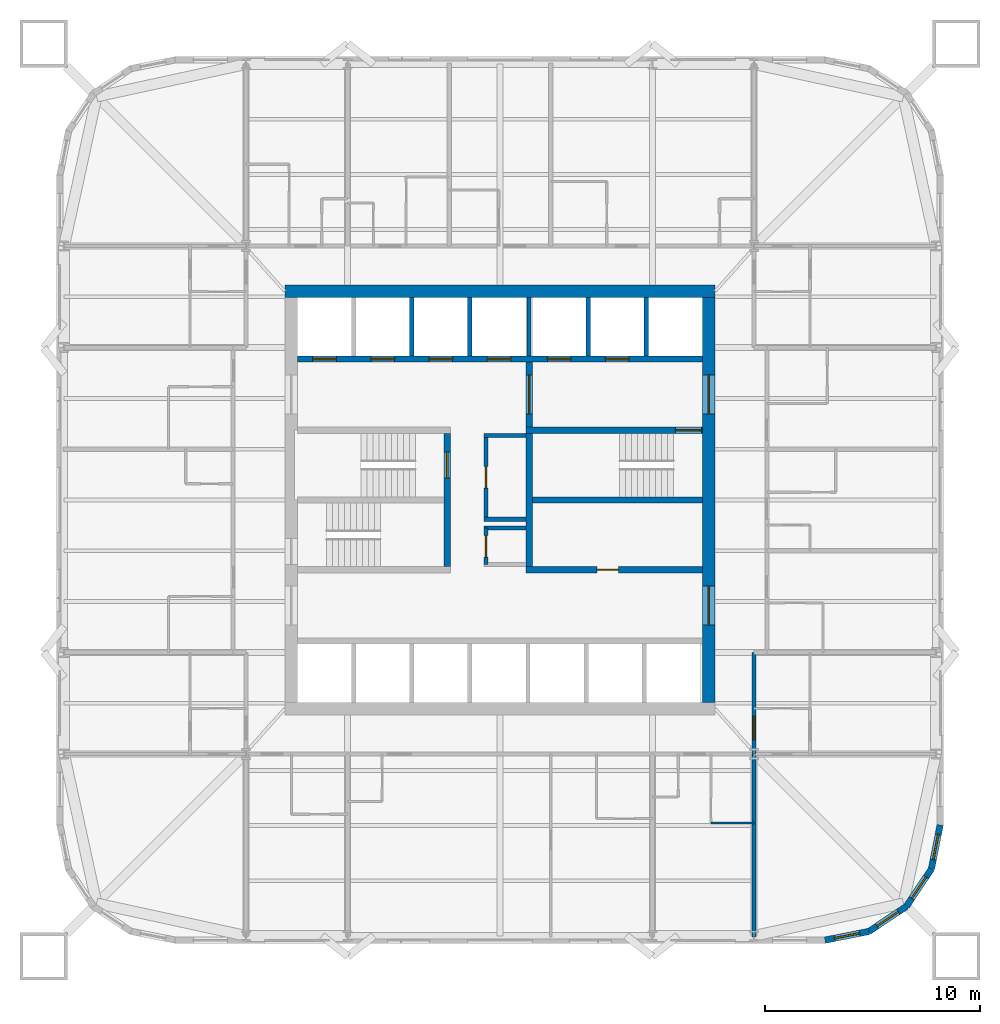
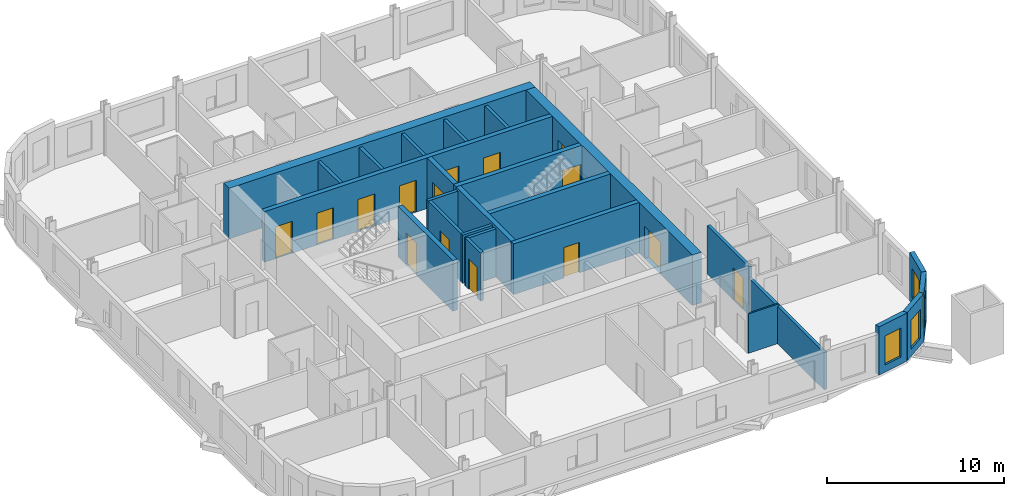
# One storey, part 5 of 9: 25 walls, 15 doors, 4 windows, 19 openings.
"""IFC4 building model written with IfcOpenShell, lengths in metres."""

from ifc_helpers import new_model, si_unit, direction, frame, frame_2d, origin, place, context, subcontext, project, spatial, rectangle, extrude, material, layer, layer_set, type_object, element, fill, save


model = new_model("IFC4")

# Units and contexts
model_context = context("Model", 3, precision=1e-05, world=origin(), true_north=direction((0.0, 1.0)))
body_context = subcontext(model_context, "Body", "Model", "MODEL_VIEW")
ifc_project = project(units=[si_unit("LENGTHUNIT", "METRE"), si_unit("AREAUNIT", "SQUARE_METRE"), si_unit("VOLUMEUNIT", "CUBIC_METRE"), si_unit("PLANEANGLEUNIT", "RADIAN"), si_unit("MASSUNIT", "GRAM", prefix="KILO")], contexts=[model_context])

# Site, building, storey
site_placement = place(None, origin())
site = spatial("IfcSite", under=ifc_project, at=site_placement, CompositionType="ELEMENT")
building_placement = place(site_placement, origin())
building = spatial("IfcBuilding", under=site, at=building_placement, Name="Turquesa Mirador Hotel Tower", CompositionType="ELEMENT")
storey_placement = place(building_placement, frame((0.0, 0.0, 114.39990234375)))
storey = spatial("IfcBuildingStorey", under=building, at=storey_placement, Name="L30", CompositionType="ELEMENT", Elevation=114.39990234375)

# Wall
ifc_material_1 = material(Name="Gypsum board on steel studs", Category="steel")
ifc_layer_1 = layer(ifc_material_1, 0.10009765625)
ifc_layer_set_1 = layer_set([ifc_layer_1], Name="BATHROOM WALL 100")
wall_type_1 = type_object("IfcWallType", Name="BATHROOM WALL 100", PredefinedType="PARTITIONING", material=ifc_layer_set_1)
wall_1_placement = place(storey_placement, frame((64.800048828125, 30.0, 0.0), z_axis=(0.0, 0.0, 1.0), x_axis=(1.0, 0.0, 0.0)))
element("IfcWall", 1, at=wall_1_placement, inside=storey, type_object=wall_type_1, Name="Partition L30 009", PredefinedType="PARTITIONING", context=body_context, shape_type="SweptSolid", body=[
    extrude(rectangle(XDim=2.0, YDim=0.10009765625, at=frame_2d((1.0, 0.0))), origin(), (0.0, 0.0, 1.0), 2.730712890625),
])

# Wall, openings, doors
ifc_material_2 = material(Name="Concrete C50/60", Category="concrete")
ifc_layer_2 = layer(ifc_material_2, 0.300048828125)
ifc_layer_set_2 = layer_set([ifc_layer_2], Name="CORE INNER WALL 300")
wall_type_2 = type_object("IfcWallType", Name="CORE INNER WALL 300", PredefinedType="SHEAR", material=ifc_layer_set_2)
wall_2_placement = place(storey_placement, frame((45.60009765625, 51.550048828125, 0.0), z_axis=(0.0, 0.0, 1.0), x_axis=(1.0, 0.0, 0.0)))
wall_2 = element("IfcWall", 2, at=wall_2_placement, inside=storey, type_object=wall_type_2, Name="Core wall NL", PredefinedType="SHEAR", context=body_context, shape_type="SweptSolid", body=[
    extrude(rectangle(XDim=18.7998046875, YDim=0.300048828125, at=frame_2d((9.39990234375, 0.0))), origin(), (0.0, 0.0, 1.0), 3.5),
])
opening_1_placement = place(wall_2_placement, frame((0.699951171875, 0.0, 0.0)))
opening_1 = element("IfcOpeningElement", 3, at=opening_1_placement, cuts=wall_2, Name="Opening LD", PredefinedType="OPENING", context=body_context, shape_type="SweptSolid", body=[
    extrude(rectangle(XDim=1.10009765625, YDim=2.199951171875, at=frame_2d((0.550048828125, 1.10009765625))), frame((0.0, 0.159912109375, 0.0), z_axis=(0.0, -1.0, 0.0), x_axis=(1.0, 0.0, 0.0)), (0.0, 0.0, 1.0), 0.320068359375),
])
opening_2_placement = place(wall_2_placement, frame((3.39990234375, 0.0, 0.0)))
opening_2 = element("IfcOpeningElement", 4, at=opening_2_placement, cuts=wall_2, Name="Opening LD", PredefinedType="OPENING", context=body_context, shape_type="SweptSolid", body=[
    extrude(rectangle(XDim=1.10009765625, YDim=2.199951171875, at=frame_2d((0.550048828125, 1.10009765625))), frame((0.0, 0.159912109375, 0.0), z_axis=(0.0, -1.0, 0.0), x_axis=(1.0, 0.0, 0.0)), (0.0, 0.0, 1.0), 0.320068359375),
])
opening_3_placement = place(wall_2_placement, frame((6.10009765625, 0.0, 0.0)))
opening_3 = element("IfcOpeningElement", 5, at=opening_3_placement, cuts=wall_2, Name="Opening LD", PredefinedType="OPENING", context=body_context, shape_type="SweptSolid", body=[
    extrude(rectangle(XDim=1.10009765625, YDim=2.199951171875, at=frame_2d((0.550048828125, 1.10009765625))), frame((0.0, 0.159912109375, 0.0), z_axis=(0.0, -1.0, 0.0), x_axis=(1.0, 0.0, 0.0)), (0.0, 0.0, 1.0), 0.320068359375),
])
opening_4_placement = place(wall_2_placement, frame((8.800048828125, 0.0, 0.0)))
opening_4 = element("IfcOpeningElement", 6, at=opening_4_placement, cuts=wall_2, Name="Opening LD", PredefinedType="OPENING", context=body_context, shape_type="SweptSolid", body=[
    extrude(rectangle(XDim=1.10009765625, YDim=2.199951171875, at=frame_2d((0.550048828125, 1.10009765625))), frame((0.0, 0.159912109375, 0.0), z_axis=(0.0, -1.0, 0.0), x_axis=(1.0, 0.0, 0.0)), (0.0, 0.0, 1.0), 0.320068359375),
])
opening_5_placement = place(wall_2_placement, frame((11.60009765625, 0.0, 0.0)))
opening_5 = element("IfcOpeningElement", 7, at=opening_5_placement, cuts=wall_2, Name="Opening LD", PredefinedType="OPENING", context=body_context, shape_type="SweptSolid", body=[
    extrude(rectangle(XDim=1.10009765625, YDim=2.199951171875, at=frame_2d((0.550048828125, 1.10009765625))), frame((0.0, 0.159912109375, 0.0), z_axis=(0.0, -1.0, 0.0), x_axis=(1.0, 0.0, 0.0)), (0.0, 0.0, 1.0), 0.320068359375),
])
opening_6_placement = place(wall_2_placement, frame((14.300048828125, 0.0, 0.0)))
opening_6 = element("IfcOpeningElement", 8, at=opening_6_placement, cuts=wall_2, Name="Opening LD", PredefinedType="OPENING", context=body_context, shape_type="SweptSolid", body=[
    extrude(rectangle(XDim=1.10009765625, YDim=2.199951171875, at=frame_2d((0.550048828125, 1.10009765625))), frame((0.0, 0.159912109375, 0.0), z_axis=(0.0, -1.0, 0.0), x_axis=(1.0, 0.0, 0.0)), (0.0, 0.0, 1.0), 0.320068359375),
])
ifc_material_3 = material(Name="Stainless steel lift landing door", Category="steel")
door_type_1 = type_object("IfcDoorType", Name="LIFT LANDING DOOR 1100X2200", OperationType="SLIDING_TO_LEFT", PredefinedType="DOOR", material=ifc_material_3)
door_1_placement = place(opening_1_placement, origin())
door_1 = element("IfcDoor", 9, at=door_1_placement, inside=storey, type_object=door_type_1, Name="Lift A1 landing door", OperationType="SLIDING_TO_LEFT", OverallHeight=2.199951171875, OverallWidth=1.10009765625, PredefinedType="DOOR", context=body_context, shape_type="SweptSolid", body=[
    extrude(rectangle(XDim=1.10009765625, YDim=2.199951171875, at=frame_2d((0.550048828125, 1.10009765625))), frame((0.0, 0.02490234375, 0.0), z_axis=(0.0, -1.0, 0.0), x_axis=(1.0, 0.0, 0.0)), (0.0, 0.0, 1.0), 0.050048828125),
])
fill(opening_1, door_1)
door_2_placement = place(opening_2_placement, origin())
door_2 = element("IfcDoor", 10, at=door_2_placement, inside=storey, type_object=door_type_1, Name="Lift A2 landing door", OperationType="SLIDING_TO_LEFT", OverallHeight=2.199951171875, OverallWidth=1.10009765625, PredefinedType="DOOR", context=body_context, shape_type="SweptSolid", body=[
    extrude(rectangle(XDim=1.10009765625, YDim=2.199951171875, at=frame_2d((0.550048828125, 1.10009765625))), frame((0.0, 0.02490234375, 0.0), z_axis=(0.0, -1.0, 0.0), x_axis=(1.0, 0.0, 0.0)), (0.0, 0.0, 1.0), 0.050048828125),
])
fill(opening_2, door_2)
door_3_placement = place(opening_3_placement, origin())
door_3 = element("IfcDoor", 11, at=door_3_placement, inside=storey, type_object=door_type_1, Name="Lift A3 landing door", OperationType="SLIDING_TO_LEFT", OverallHeight=2.199951171875, OverallWidth=1.10009765625, PredefinedType="DOOR", context=body_context, shape_type="SweptSolid", body=[
    extrude(rectangle(XDim=1.10009765625, YDim=2.199951171875, at=frame_2d((0.550048828125, 1.10009765625))), frame((0.0, 0.02490234375, 0.0), z_axis=(0.0, -1.0, 0.0), x_axis=(1.0, 0.0, 0.0)), (0.0, 0.0, 1.0), 0.050048828125),
])
fill(opening_3, door_3)
door_4_placement = place(opening_4_placement, origin())
door_4 = element("IfcDoor", 12, at=door_4_placement, inside=storey, type_object=door_type_1, Name="Lift A4 landing door", OperationType="SLIDING_TO_LEFT", OverallHeight=2.199951171875, OverallWidth=1.10009765625, PredefinedType="DOOR", context=body_context, shape_type="SweptSolid", body=[
    extrude(rectangle(XDim=1.10009765625, YDim=2.199951171875, at=frame_2d((0.550048828125, 1.10009765625))), frame((0.0, 0.02490234375, 0.0), z_axis=(0.0, -1.0, 0.0), x_axis=(1.0, 0.0, 0.0)), (0.0, 0.0, 1.0), 0.050048828125),
])
fill(opening_4, door_4)
door_5_placement = place(opening_5_placement, origin())
door_5 = element("IfcDoor", 13, at=door_5_placement, inside=storey, type_object=door_type_1, Name="Lift S1 landing door", OperationType="SLIDING_TO_LEFT", OverallHeight=2.199951171875, OverallWidth=1.10009765625, PredefinedType="DOOR", context=body_context, shape_type="SweptSolid", body=[
    extrude(rectangle(XDim=1.10009765625, YDim=2.199951171875, at=frame_2d((0.550048828125, 1.10009765625))), frame((0.0, 0.02490234375, 0.0), z_axis=(0.0, -1.0, 0.0), x_axis=(1.0, 0.0, 0.0)), (0.0, 0.0, 1.0), 0.050048828125),
])
fill(opening_5, door_5)
door_6_placement = place(opening_6_placement, origin())
door_6 = element("IfcDoor", 14, at=door_6_placement, inside=storey, type_object=door_type_1, Name="Lift S2 landing door", OperationType="SLIDING_TO_LEFT", OverallHeight=2.199951171875, OverallWidth=1.10009765625, PredefinedType="DOOR", context=body_context, shape_type="SweptSolid", body=[
    extrude(rectangle(XDim=1.10009765625, YDim=2.199951171875, at=frame_2d((0.550048828125, 1.10009765625))), frame((0.0, 0.02490234375, 0.0), z_axis=(0.0, -1.0, 0.0), x_axis=(1.0, 0.0, 0.0)), (0.0, 0.0, 1.0), 0.050048828125),
])
fill(opening_6, door_6)

# Wall, opening, door
wall_3_placement = place(storey_placement, frame((56.199951171875, 48.25, 0.0), z_axis=(0.0, 0.0, 1.0), x_axis=(1.0, 0.0, 0.0)))
wall_3 = element("IfcWall", 15, at=wall_3_placement, inside=storey, type_object=wall_type_2, Name="Core wall MN-E", PredefinedType="SHEAR", context=body_context, shape_type="SweptSolid", body=[
    extrude(rectangle(XDim=8.199951171875, YDim=0.300048828125, at=frame_2d((4.10009765625, 0.0))), origin(), (0.0, 0.0, 1.0), 3.5),
])
opening_7_placement = place(wall_3_placement, frame((6.949951171875, 0.0, 0.0)))
opening_7 = element("IfcOpeningElement", 16, at=opening_7_placement, cuts=wall_3, Name="Opening D03", PredefinedType="OPENING", context=body_context, shape_type="SweptSolid", body=[
    extrude(rectangle(XDim=1.199951171875, YDim=2.199951171875, at=frame_2d((0.60009765625, 1.10009765625))), frame((0.0, 0.159912109375, 0.0), z_axis=(0.0, -1.0, 0.0), x_axis=(1.0, 0.0, 0.0)), (0.0, 0.0, 1.0), 0.320068359375),
])
ifc_material_4 = material(Name="Steel fire door", Category="steel")
door_type_2 = type_object("IfcDoorType", Name="DOOR 1200X2200 STAIR", OperationType="SINGLE_SWING_LEFT", PredefinedType="DOOR", material=ifc_material_4)
door_7_placement = place(opening_7_placement, origin())
door_7 = element("IfcDoor", 17, at=door_7_placement, inside=storey, type_object=door_type_2, Name="Stair ST3 door", OperationType="SINGLE_SWING_LEFT", OverallHeight=2.199951171875, OverallWidth=1.199951171875, PredefinedType="DOOR", context=body_context, shape_type="SweptSolid", body=[
    extrude(rectangle(XDim=1.199951171875, YDim=2.199951171875, at=frame_2d((0.60009765625, 1.10009765625))), frame((0.0, 0.02490234375, 0.0), z_axis=(0.0, -1.0, 0.0), x_axis=(1.0, 0.0, 0.0)), (0.0, 0.0, 1.0), 0.050048828125),
])
fill(opening_7, door_7)

wall_4_placement = place(storey_placement, frame((56.199951171875, 41.75, 0.0), z_axis=(0.0, 0.0, 1.0), x_axis=(1.0, 0.0, 0.0)))
wall_4 = element("IfcWall", 18, at=wall_4_placement, inside=storey, type_object=wall_type_2, Name="Core wall MS-E", PredefinedType="SHEAR", context=body_context, shape_type="SweptSolid", body=[
    extrude(rectangle(XDim=8.199951171875, YDim=0.300048828125, at=frame_2d((4.10009765625, 0.0))), origin(), (0.0, 0.0, 1.0), 3.5),
])
opening_8_placement = place(wall_4_placement, frame((3.300048828125, 0.0, 0.0)))
opening_8 = element("IfcOpeningElement", 19, at=opening_8_placement, cuts=wall_4, Name="Opening D05", PredefinedType="OPENING", context=body_context, shape_type="SweptSolid", body=[
    extrude(rectangle(XDim=1.0, YDim=2.10009765625, at=frame_2d((0.5, 1.050048828125))), frame((0.0, 0.159912109375, 0.0), z_axis=(0.0, -1.0, 0.0), x_axis=(1.0, 0.0, 0.0)), (0.0, 0.0, 1.0), 0.320068359375),
])
ifc_material_5 = material(Name="Steel fire door", Category="steel")
door_type_3 = type_object("IfcDoorType", Name="DOOR 1000X2100 SERVICE", OperationType="SINGLE_SWING_LEFT", PredefinedType="DOOR", material=ifc_material_5)
door_8_placement = place(opening_8_placement, origin())
door_8 = element("IfcDoor", 20, at=door_8_placement, inside=storey, type_object=door_type_3, Name="Housekeeping room door", OperationType="SINGLE_SWING_LEFT", OverallHeight=2.10009765625, OverallWidth=1.0, PredefinedType="DOOR", context=body_context, shape_type="SweptSolid", body=[
    extrude(rectangle(XDim=1.0, YDim=2.10009765625, at=frame_2d((0.5, 1.050048828125))), frame((0.0, 0.02490234375, 0.0), z_axis=(0.0, -1.0, 0.0), x_axis=(1.0, 0.0, 0.0)), (0.0, 0.0, 1.0), 0.050048828125),
])
fill(opening_8, door_8)

wall_5_placement = place(storey_placement, frame((52.550048828125, 41.89990234375, 0.0), z_axis=(0.0, 0.0, 1.0), x_axis=(0.0, 1.0, 0.0)))
wall_5 = element("IfcWall", 21, at=wall_5_placement, inside=storey, type_object=wall_type_2, Name="Core wall PW", PredefinedType="SHEAR", context=body_context, shape_type="SweptSolid", body=[
    extrude(rectangle(XDim=6.2001953125, YDim=0.300048828125, at=frame_2d((3.10009765625, 0.0))), origin(), (0.0, 0.0, 1.0), 3.5),
])
opening_9_placement = place(wall_5_placement, frame((4.125, 0.0, 0.0)))
opening_9 = element("IfcOpeningElement", 22, at=opening_9_placement, cuts=wall_5, Name="Opening D03", PredefinedType="OPENING", context=body_context, shape_type="SweptSolid", body=[
    extrude(rectangle(XDim=1.199951171875, YDim=2.199951171875, at=frame_2d((0.60009765625, 1.10009765625))), frame((0.0, 0.159912109375, 0.0), z_axis=(0.0, -1.0, 0.0), x_axis=(1.0, 0.0, 0.0)), (0.0, 0.0, 1.0), 0.320068359375),
])
door_9_placement = place(opening_9_placement, origin())
door_9 = element("IfcDoor", 23, at=door_9_placement, inside=storey, type_object=door_type_2, Name="Stair ST1 door", OperationType="SINGLE_SWING_LEFT", OverallHeight=2.199951171875, OverallWidth=1.199951171875, PredefinedType="DOOR", context=body_context, shape_type="SweptSolid", body=[
    extrude(rectangle(XDim=1.199951171875, YDim=2.199951171875, at=frame_2d((0.60009765625, 1.10009765625))), frame((0.0, 0.02490234375, 0.0), z_axis=(0.0, -1.0, 0.0), x_axis=(1.0, 0.0, 0.0)), (0.0, 0.0, 1.0), 0.050048828125),
])
fill(opening_9, door_9)

wall_6_placement = place(storey_placement, frame((56.35009765625, 41.89990234375, 0.0), z_axis=(0.0, 0.0, 1.0), x_axis=(0.0, 1.0, 0.0)))
wall_6 = element("IfcWall", 24, at=wall_6_placement, inside=storey, type_object=wall_type_2, Name="Core wall PE", PredefinedType="SHEAR", context=body_context, shape_type="SweptSolid", body=[
    extrude(rectangle(XDim=9.5, YDim=0.300048828125, at=frame_2d((4.75, 0.0))), origin(), (0.0, 0.0, 1.0), 3.5),
])
opening_10_placement = place(wall_6_placement, frame((7.10009765625, 0.0, 0.0)))
opening_10 = element("IfcOpeningElement", 25, at=opening_10_placement, cuts=wall_6, Name="Opening D04", PredefinedType="OPENING", context=body_context, shape_type="SweptSolid", body=[
    extrude(rectangle(XDim=1.800048828125, YDim=2.199951171875, at=frame_2d((0.89990234375, 1.10009765625))), frame((0.0, 0.159912109375, 0.0), z_axis=(0.0, -1.0, 0.0), x_axis=(1.0, 0.0, 0.0)), (0.0, 0.0, 1.0), 0.320068359375),
])
ifc_material_6 = material(Name="Steel fire door pair", Category="steel")
door_type_4 = type_object("IfcDoorType", Name="DOOR 1800X2200 PAIR", OperationType="DOUBLE_DOOR_SINGLE_SWING", PredefinedType="DOOR", material=ifc_material_6)
door_10_placement = place(opening_10_placement, origin())
door_10 = element("IfcDoor", 26, at=door_10_placement, inside=storey, type_object=door_type_4, Name="Firefighting lobby inner door", OperationType="DOUBLE_DOOR_SINGLE_SWING", OverallHeight=2.199951171875, OverallWidth=1.800048828125, PredefinedType="DOOR", context=body_context, shape_type="SweptSolid", body=[
    extrude(rectangle(XDim=1.800048828125, YDim=2.199951171875, at=frame_2d((0.89990234375, 1.10009765625))), frame((0.0, 0.02490234375, 0.0), z_axis=(0.0, -1.0, 0.0), x_axis=(1.0, 0.0, 0.0)), (0.0, 0.0, 1.0), 0.050048828125),
])
fill(opening_10, door_10)

# Walls
wall_7_placement = place(storey_placement, frame((56.5, 45.0, 0.0), z_axis=(0.0, 0.0, 1.0), x_axis=(1.0, 0.0, 0.0)))
element("IfcWall", 27, at=wall_7_placement, inside=storey, type_object=wall_type_2, Name="Core wall M0-E", PredefinedType="SHEAR", context=body_context, shape_type="SweptSolid", body=[
    extrude(rectangle(XDim=7.89990234375, YDim=0.300048828125, at=frame_2d((3.949951171875, 0.0))), origin(), (0.0, 0.0, 1.0), 3.5),
])
ifc_material_7 = material(Name="Concrete C50/60", Category="concrete")
ifc_layer_3 = layer(ifc_material_7, 0.60009765625)
ifc_layer_set_3 = layer_set([ifc_layer_3], Name="CORE WALL 600")
wall_type_3 = type_object("IfcWallType", Name="CORE WALL 600", PredefinedType="SHEAR", material=ifc_layer_set_3)
wall_8_placement = place(storey_placement, frame((45.0, 54.699951171875, 0.0), z_axis=(0.0, 0.0, 1.0), x_axis=(1.0, 0.0, 0.0)))
element("IfcWall", 28, at=wall_8_placement, inside=storey, type_object=wall_type_3, Name="Core wall N", PredefinedType="SHEAR", context=body_context, shape_type="SweptSolid", body=[
    extrude(rectangle(XDim=20.0, YDim=0.60009765625, at=frame_2d((10.0, 0.0))), origin(), (0.0, 0.0, 1.0), 3.5),
])

# Wall, openings, doors
wall_9_placement = place(storey_placement, frame((64.699951171875, 35.60009765625, 0.0), z_axis=(0.0, 0.0, 1.0), x_axis=(0.0, 1.0, 0.0)))
wall_9 = element("IfcWall", 29, at=wall_9_placement, inside=storey, type_object=wall_type_3, Name="Core wall E", PredefinedType="SHEAR", context=body_context, shape_type="SweptSolid", body=[
    extrude(rectangle(XDim=18.7998046875, YDim=0.60009765625, at=frame_2d((9.39990234375, 0.0))), origin(), (0.0, 0.0, 1.0), 3.5),
])
opening_11_placement = place(wall_9_placement, frame((13.39990234375, 0.0, 0.0)))
opening_11 = element("IfcOpeningElement", 30, at=opening_11_placement, cuts=wall_9, Name="Opening D04", PredefinedType="OPENING", context=body_context, shape_type="SweptSolid", body=[
    extrude(rectangle(XDim=1.800048828125, YDim=2.199951171875, at=frame_2d((0.89990234375, 1.10009765625))), frame((0.0, 0.31005859375, 0.0), z_axis=(0.0, -1.0, 0.0), x_axis=(1.0, 0.0, 0.0)), (0.0, 0.0, 1.0), 0.6201171875),
])
opening_12_placement = place(wall_9_placement, frame((3.60009765625, 0.0, 0.0)))
opening_12 = element("IfcOpeningElement", 31, at=opening_12_placement, cuts=wall_9, Name="Opening D04", PredefinedType="OPENING", context=body_context, shape_type="SweptSolid", body=[
    extrude(rectangle(XDim=1.800048828125, YDim=2.199951171875, at=frame_2d((0.89990234375, 1.10009765625))), frame((0.0, 0.31005859375, 0.0), z_axis=(0.0, -1.0, 0.0), x_axis=(1.0, 0.0, 0.0)), (0.0, 0.0, 1.0), 0.6201171875),
])
door_11_placement = place(opening_11_placement, origin())
door_11 = element("IfcDoor", 32, at=door_11_placement, inside=storey, type_object=door_type_4, Name="Firefighting lobby door", OperationType="DOUBLE_DOOR_SINGLE_SWING", OverallHeight=2.199951171875, OverallWidth=1.800048828125, PredefinedType="DOOR", context=body_context, shape_type="SweptSolid", body=[
    extrude(rectangle(XDim=1.800048828125, YDim=2.199951171875, at=frame_2d((0.89990234375, 1.10009765625))), frame((0.0, 0.02490234375, 0.0), z_axis=(0.0, -1.0, 0.0), x_axis=(1.0, 0.0, 0.0)), (0.0, 0.0, 1.0), 0.050048828125),
])
fill(opening_11, door_11)
door_12_placement = place(opening_12_placement, origin())
door_12 = element("IfcDoor", 33, at=door_12_placement, inside=storey, type_object=door_type_4, Name="South lift lobby door", OperationType="DOUBLE_DOOR_SINGLE_SWING", OverallHeight=2.199951171875, OverallWidth=1.800048828125, PredefinedType="DOOR", context=body_context, shape_type="SweptSolid", body=[
    extrude(rectangle(XDim=1.800048828125, YDim=2.199951171875, at=frame_2d((0.89990234375, 1.10009765625))), frame((0.0, 0.02490234375, 0.0), z_axis=(0.0, -1.0, 0.0), x_axis=(1.0, 0.0, 0.0)), (0.0, 0.0, 1.0), 0.050048828125),
])
fill(opening_12, door_12)

# Wall, opening, door
ifc_material_8 = material(Name="Fire-rated gypsum board on steel studs", Category="steel")
ifc_layer_4 = layer(ifc_material_8, 0.199951171875)
ifc_layer_set_4 = layer_set([ifc_layer_4], Name="CORRIDOR WALL 200")
wall_type_4 = type_object("IfcWallType", Name="CORRIDOR WALL 200", PredefinedType="PARTITIONING", material=ifc_layer_set_4)
wall_10_placement = place(storey_placement, frame((66.800048828125, 33.199951171875, 0.0), z_axis=(0.0, 0.0, 1.0), x_axis=(0.0, 1.0, 0.0)))
wall_10 = element("IfcWall", 34, at=wall_10_placement, inside=storey, type_object=wall_type_4, Name="Partition L30 065", PredefinedType="PARTITIONING", context=body_context, shape_type="SweptSolid", body=[
    extrude(rectangle(XDim=4.719970703125, YDim=0.199951171875, at=frame_2d((2.35986328125, 0.0))), origin(), (0.0, 0.0, 1.0), 3.330078125),
])
opening_13_placement = place(wall_10_placement, frame((0.659912109375, 0.0, 0.0)))
opening_13 = element("IfcOpeningElement", 35, at=opening_13_placement, cuts=wall_10, Name="Opening D15", PredefinedType="OPENING", context=body_context, shape_type="SweptSolid", body=[
    extrude(rectangle(XDim=1.10009765625, YDim=2.199951171875, at=frame_2d((0.550048828125, 1.10009765625))), frame((0.0, 0.10986328125, 0.0), z_axis=(0.0, -1.0, 0.0), x_axis=(1.0, 0.0, 0.0)), (0.0, 0.0, 1.0), 0.219970703125),
])
ifc_material_9 = material(Name="Timber veneered fire door", Category="wood")
door_type_5 = type_object("IfcDoorType", Name="DOOR 1100X2200 SUITE ENTRY", OperationType="SINGLE_SWING_LEFT", PredefinedType="DOOR", material=ifc_material_9)
door_13_placement = place(opening_13_placement, origin())
door_13 = element("IfcDoor", 36, at=door_13_placement, inside=storey, type_object=door_type_5, Name="Door 3016H", OperationType="SINGLE_SWING_LEFT", OverallHeight=2.199951171875, OverallWidth=1.10009765625, PredefinedType="DOOR", context=body_context, shape_type="SweptSolid", body=[
    extrude(rectangle(XDim=1.10009765625, YDim=2.199951171875, at=frame_2d((0.550048828125, 1.10009765625))), frame((0.0, 0.02490234375, 0.0), z_axis=(0.0, -1.0, 0.0), x_axis=(1.0, 0.0, 0.0)), (0.0, 0.0, 1.0), 0.050048828125),
])
fill(opening_13, door_13)

# Wall, opening, window
ifc_material_10 = material(Name="Limestone cladding on concrete block", Category="masonry")
ifc_layer_5 = layer(ifc_material_10, 0.300048828125)
ifc_layer_set_5 = layer_set([ifc_layer_5], Name="FACADE WALL 300 STONE SCREEN")
wall_type_5 = type_object("IfcWallType", Name="FACADE WALL 300 STONE SCREEN", PredefinedType="SOLIDWALL", material=ifc_layer_set_5)
wall_11_placement = place(storey_placement, frame((70.10009765625, 24.550048828125, 0.0), z_axis=(0.0, 0.0, 1.0), x_axis=(0.980787050784, 0.195081421501, 0.0)))
wall_11 = element("IfcWall", 37, at=wall_11_placement, inside=storey, type_object=wall_type_5, Name="Facade wall L30 00", PredefinedType="SOLIDWALL", context=body_context, shape_type="SweptSolid", body=[
    extrude(rectangle(XDim=2.08740234375, YDim=0.300048828125, at=frame_2d((1.043701171875, 0.0))), origin(), (0.0, 0.0, 1.0), 3.330078125),
])
opening_14_placement = place(wall_11_placement, frame((0.443603515625, 0.0, 0.5)))
opening_14 = element("IfcOpeningElement", 38, at=opening_14_placement, cuts=wall_11, Name="Opening WN4", PredefinedType="OPENING", context=body_context, shape_type="SweptSolid", body=[
    extrude(rectangle(XDim=1.199951171875, YDim=2.0, at=frame_2d((0.60009765625, 1.0))), frame((0.0, 0.159912109375, 0.0), z_axis=(0.0, -1.0, 0.0), x_axis=(1.0, 0.0, 0.0)), (0.0, 0.0, 1.0), 0.320068359375),
])
ifc_material_11 = material(Name="Ceramic-fritted laminated glass", Category="glass")
window_type = type_object("IfcWindowType", Name="FRITTED CORNER WINDOW 1200X2000", PartitioningType="DOUBLE_PANEL_HORIZONTAL", PredefinedType="WINDOW", material=ifc_material_11)
window_1_placement = place(opening_14_placement, origin())
window_1 = element("IfcWindow", 39, at=window_1_placement, inside=storey, type_object=window_type, Name="Window L30", OverallHeight=2.0, OverallWidth=1.199951171875, PartitioningType="SINGLE_PANEL", PredefinedType="WINDOW", context=body_context, shape_type="SweptSolid", body=[
    extrude(rectangle(XDim=1.199951171875, YDim=2.0, at=frame_2d((0.60009765625, 1.0))), frame((0.0, 0.030029296875, 0.0), z_axis=(0.0, -1.0, 0.0), x_axis=(1.0, 0.0, 0.0)), (0.0, 0.0, 1.0), 0.06005859375),
])
fill(opening_14, window_1)

wall_12_placement = place(storey_placement, frame((72.1474609375, 24.957275390625, 0.0), z_axis=(0.0, 0.0, 1.0), x_axis=(0.831474039234, 0.555563607591, 0.0)))
wall_12 = element("IfcWall", 40, at=wall_12_placement, inside=storey, type_object=wall_type_5, Name="Facade wall L30 01", PredefinedType="SOLIDWALL", context=body_context, shape_type="SweptSolid", body=[
    extrude(rectangle(XDim=2.08740234375, YDim=0.300048828125, at=frame_2d((1.043701171875, 0.0))), origin(), (0.0, 0.0, 1.0), 3.330078125),
])
opening_15_placement = place(wall_12_placement, frame((0.443603515625, 0.0, 0.5)))
opening_15 = element("IfcOpeningElement", 41, at=opening_15_placement, cuts=wall_12, Name="Opening WN4", PredefinedType="OPENING", context=body_context, shape_type="SweptSolid", body=[
    extrude(rectangle(XDim=1.199951171875, YDim=2.0, at=frame_2d((0.60009765625, 1.0))), frame((0.0, 0.159912109375, 0.0), z_axis=(0.0, -1.0, 0.0), x_axis=(1.0, 0.0, 0.0)), (0.0, 0.0, 1.0), 0.320068359375),
])
window_2_placement = place(opening_15_placement, origin())
window_2 = element("IfcWindow", 42, at=window_2_placement, inside=storey, type_object=window_type, Name="Window L30", OverallHeight=2.0, OverallWidth=1.199951171875, PartitioningType="SINGLE_PANEL", PredefinedType="WINDOW", context=body_context, shape_type="SweptSolid", body=[
    extrude(rectangle(XDim=1.199951171875, YDim=2.0, at=frame_2d((0.60009765625, 1.0))), frame((0.0, 0.030029296875, 0.0), z_axis=(0.0, -1.0, 0.0), x_axis=(1.0, 0.0, 0.0)), (0.0, 0.0, 1.0), 0.06005859375),
])
fill(opening_15, window_2)

wall_13_placement = place(storey_placement, frame((73.883056640625, 26.116943359375, 0.0), z_axis=(0.0, 0.0, 1.0), x_axis=(0.555563607591, 0.831474039234, 0.0)))
wall_13 = element("IfcWall", 43, at=wall_13_placement, inside=storey, type_object=wall_type_5, Name="Facade wall L30 02", PredefinedType="SOLIDWALL", context=body_context, shape_type="SweptSolid", body=[
    extrude(rectangle(XDim=2.08740234375, YDim=0.300048828125, at=frame_2d((1.043701171875, 0.0))), origin(), (0.0, 0.0, 1.0), 3.330078125),
])
opening_16_placement = place(wall_13_placement, frame((0.443603515625, 0.0, 0.5)))
opening_16 = element("IfcOpeningElement", 44, at=opening_16_placement, cuts=wall_13, Name="Opening WN4", PredefinedType="OPENING", context=body_context, shape_type="SweptSolid", body=[
    extrude(rectangle(XDim=1.199951171875, YDim=2.0, at=frame_2d((0.60009765625, 1.0))), frame((0.0, 0.159912109375, 0.0), z_axis=(0.0, -1.0, 0.0), x_axis=(1.0, 0.0, 0.0)), (0.0, 0.0, 1.0), 0.320068359375),
])
window_3_placement = place(opening_16_placement, origin())
window_3 = element("IfcWindow", 45, at=window_3_placement, inside=storey, type_object=window_type, Name="Window L30", OverallHeight=2.0, OverallWidth=1.199951171875, PartitioningType="SINGLE_PANEL", PredefinedType="WINDOW", context=body_context, shape_type="SweptSolid", body=[
    extrude(rectangle(XDim=1.199951171875, YDim=2.0, at=frame_2d((0.60009765625, 1.0))), frame((0.0, 0.030029296875, 0.0), z_axis=(0.0, -1.0, 0.0), x_axis=(1.0, 0.0, 0.0)), (0.0, 0.0, 1.0), 0.06005859375),
])
fill(opening_16, window_3)

wall_14_placement = place(storey_placement, frame((75.042724609375, 27.8525390625, 0.0), z_axis=(0.0, 0.0, 1.0), x_axis=(0.195081421501, 0.980787050784, 0.0)))
wall_14 = element("IfcWall", 46, at=wall_14_placement, inside=storey, type_object=wall_type_5, Name="Facade wall L30 03", PredefinedType="SOLIDWALL", context=body_context, shape_type="SweptSolid", body=[
    extrude(rectangle(XDim=2.08740234375, YDim=0.300048828125, at=frame_2d((1.043701171875, 0.0))), origin(), (0.0, 0.0, 1.0), 3.330078125),
])
opening_17_placement = place(wall_14_placement, frame((0.443603515625, 0.0, 0.5)))
opening_17 = element("IfcOpeningElement", 47, at=opening_17_placement, cuts=wall_14, Name="Opening WN4", PredefinedType="OPENING", context=body_context, shape_type="SweptSolid", body=[
    extrude(rectangle(XDim=1.199951171875, YDim=2.0, at=frame_2d((0.60009765625, 1.0))), frame((0.0, 0.159912109375, 0.0), z_axis=(0.0, -1.0, 0.0), x_axis=(1.0, 0.0, 0.0)), (0.0, 0.0, 1.0), 0.320068359375),
])
window_4_placement = place(opening_17_placement, origin())
window_4 = element("IfcWindow", 48, at=window_4_placement, inside=storey, type_object=window_type, Name="Window L30", OverallHeight=2.0, OverallWidth=1.199951171875, PartitioningType="SINGLE_PANEL", PredefinedType="WINDOW", context=body_context, shape_type="SweptSolid", body=[
    extrude(rectangle(XDim=1.199951171875, YDim=2.0, at=frame_2d((0.60009765625, 1.0))), frame((0.0, 0.030029296875, 0.0), z_axis=(0.0, -1.0, 0.0), x_axis=(1.0, 0.0, 0.0)), (0.0, 0.0, 1.0), 0.06005859375),
])
fill(opening_17, window_4)

# Wall, opening, door
ifc_material_12 = material(Name="Fire-rated gypsum board on steel studs", Category="steel")
ifc_layer_6 = layer(ifc_material_12, 0.199951171875)
ifc_layer_set_6 = layer_set([ifc_layer_6], Name="FIRE PARTITION 200")
wall_type_6 = type_object("IfcWallType", Name="FIRE PARTITION 200", PredefinedType="PARTITIONING", material=ifc_layer_set_6)
wall_15_placement = place(storey_placement, frame((54.35009765625, 42.0, 0.0), z_axis=(0.0, 0.0, 1.0), x_axis=(0.0, 1.0, 0.0)))
wall_15 = element("IfcWall", 49, at=wall_15_placement, inside=storey, type_object=wall_type_6, Name="Partition L30 SW W", PredefinedType="PARTITIONING", context=body_context, shape_type="SweptSolid", body=[
    extrude(rectangle(XDim=1.699951171875, YDim=0.199951171875, at=frame_2d((0.85009765625, 0.0))), origin(), (0.0, 0.0, 1.0), 3.330078125),
])
opening_18_placement = place(wall_15_placement, frame((0.35009765625, 0.0, 0.0)))
opening_18 = element("IfcOpeningElement", 50, at=opening_18_placement, cuts=wall_15, Name="Opening D05", PredefinedType="OPENING", context=body_context, shape_type="SweptSolid", body=[
    extrude(rectangle(XDim=1.0, YDim=2.10009765625, at=frame_2d((0.5, 1.050048828125))), frame((0.0, 0.10986328125, 0.0), z_axis=(0.0, -1.0, 0.0), x_axis=(1.0, 0.0, 0.0)), (0.0, 0.0, 1.0), 0.219970703125),
])
door_14_placement = place(opening_18_placement, origin())
door_14 = element("IfcDoor", 51, at=door_14_placement, inside=storey, type_object=door_type_3, Name="Staff WC door", OperationType="SINGLE_SWING_LEFT", OverallHeight=2.10009765625, OverallWidth=1.0, PredefinedType="DOOR", context=body_context, shape_type="SweptSolid", body=[
    extrude(rectangle(XDim=1.0, YDim=2.10009765625, at=frame_2d((0.5, 1.050048828125))), frame((0.0, 0.02490234375, 0.0), z_axis=(0.0, -1.0, 0.0), x_axis=(1.0, 0.0, 0.0)), (0.0, 0.0, 1.0), 0.050048828125),
])
fill(opening_18, door_14)

# Wall
wall_16_placement = place(storey_placement, frame((54.25, 43.699951171875, 0.0), z_axis=(0.0, 0.0, 1.0), x_axis=(1.0, 0.0, 0.0)))
element("IfcWall", 52, at=wall_16_placement, inside=storey, type_object=wall_type_6, Name="Partition L30 SW N", PredefinedType="PARTITIONING", context=body_context, shape_type="SweptSolid", body=[
    extrude(rectangle(XDim=1.949951171875, YDim=0.199951171875, at=frame_2d((0.97509765625, 0.0))), origin(), (0.0, 0.0, 1.0), 3.330078125),
])

# Wall, opening, door
wall_17_placement = place(storey_placement, frame((54.35009765625, 44.10009765625, 0.0), z_axis=(0.0, 0.0, 1.0), x_axis=(0.0, 1.0, 0.0)))
wall_17 = element("IfcWall", 53, at=wall_17_placement, inside=storey, type_object=wall_type_6, Name="Partition L30 LG W", PredefinedType="PARTITIONING", context=body_context, shape_type="SweptSolid", body=[
    extrude(rectangle(XDim=3.89990234375, YDim=0.199951171875, at=frame_2d((1.949951171875, 0.0))), origin(), (0.0, 0.0, 1.0), 3.330078125),
])
opening_19_placement = place(wall_17_placement, frame((1.449951171875, 0.0, 0.0)))
opening_19 = element("IfcOpeningElement", 54, at=opening_19_placement, cuts=wall_17, Name="Opening D05", PredefinedType="OPENING", context=body_context, shape_type="SweptSolid", body=[
    extrude(rectangle(XDim=1.0, YDim=2.10009765625, at=frame_2d((0.5, 1.050048828125))), frame((0.0, 0.10986328125, 0.0), z_axis=(0.0, -1.0, 0.0), x_axis=(1.0, 0.0, 0.0)), (0.0, 0.0, 1.0), 0.219970703125),
])
door_15_placement = place(opening_19_placement, origin())
door_15 = element("IfcDoor", 55, at=door_15_placement, inside=storey, type_object=door_type_3, Name="Luggage room door", OperationType="SINGLE_SWING_LEFT", OverallHeight=2.10009765625, OverallWidth=1.0, PredefinedType="DOOR", context=body_context, shape_type="SweptSolid", body=[
    extrude(rectangle(XDim=1.0, YDim=2.10009765625, at=frame_2d((0.5, 1.050048828125))), frame((0.0, 0.02490234375, 0.0), z_axis=(0.0, -1.0, 0.0), x_axis=(1.0, 0.0, 0.0)), (0.0, 0.0, 1.0), 0.050048828125),
])
fill(opening_19, door_15)

# Walls
for number, where, z_axis, x_axis, name in (
    (56, (54.25, 44.10009765625, 0.0), (0.0, 0.0, 1.0), (1.0, 0.0, 0.0), "Partition L30 LG S"),
    (57, (54.25, 48.0, 0.0), (0.0, 0.0, 1.0), (1.0, 0.0, 0.0), "Partition L30 LG N"),
):
    element("IfcWall", number, at=place(storey_placement, frame(where, z_axis=z_axis, x_axis=x_axis)), inside=storey, type_object=wall_type_6, Name=name, PredefinedType="PARTITIONING", context=body_context, shape_type="SweptSolid", body=[
        extrude(rectangle(XDim=1.949951171875, YDim=0.199951171875, at=frame_2d((0.97509765625, 0.0))), origin(), (0.0, 0.0, 1.0), 3.330078125),
    ])
ifc_material_13 = material(Name="Fire-rated gypsum shaft wall on steel studs", Category="steel")
ifc_layer_7 = layer(ifc_material_13, 0.199951171875)
ifc_layer_set_7 = layer_set([ifc_layer_7], Name="LIFT SHAFT DIVIDER 200")
wall_type_7 = type_object("IfcWallType", Name="LIFT SHAFT DIVIDER 200", PredefinedType="PARTITIONING", material=ifc_layer_set_7)
for number, where, z_axis, x_axis, name in (
    (58, (50.89990234375, 51.699951171875, 0.0), (0.0, 0.0, 1.0), (0.0, 1.0, 0.0), "Lift shaft divider"),
    (59, (53.60009765625, 51.699951171875, 0.0), (0.0, 0.0, 1.0), (0.0, 1.0, 0.0), "Lift shaft divider"),
    (60, (59.10009765625, 51.699951171875, 0.0), (0.0, 0.0, 1.0), (0.0, 1.0, 0.0), "Lift shaft divider"),
    (61, (61.800048828125, 51.699951171875, 0.0), (0.0, 0.0, 1.0), (0.0, 1.0, 0.0), "Lift shaft divider"),
    (62, (56.35009765625, 51.699951171875, 0.0), (0.0, 0.0, 1.0), (0.0, 1.0, 0.0), "Lift shaft divider"),
):
    element("IfcWall", number, at=place(storey_placement, frame(where, z_axis=z_axis, x_axis=x_axis)), inside=storey, type_object=wall_type_7, Name=name, PredefinedType="PARTITIONING", context=body_context, shape_type="SweptSolid", body=[
        extrude(rectangle(XDim=2.699951171875, YDim=0.199951171875, at=frame_2d((1.35009765625, 0.0))), origin(), (0.0, 0.0, 1.0), 3.330078125),
    ])
ifc_material_14 = material(Name="Fire-rated gypsum board on steel studs", Category="steel")
ifc_layer_8 = layer(ifc_material_14, 0.199951171875)
ifc_layer_set_8 = layer_set([ifc_layer_8], Name="PARTY WALL 200")
wall_type_8 = type_object("IfcWallType", Name="PARTY WALL 200", PredefinedType="PARTITIONING", material=ifc_layer_set_8)
wall_18_placement = place(storey_placement, frame((66.800048828125, 24.699951171875, 0.0), z_axis=(0.0, 0.0, 1.0), x_axis=(0.0, 1.0, 0.0)))
element("IfcWall", 63, at=wall_18_placement, inside=storey, type_object=wall_type_8, Name="Partition L30 067", PredefinedType="PARTITIONING", context=body_context, shape_type="SweptSolid", body=[
    extrude(rectangle(XDim=8.5, YDim=0.199951171875, at=frame_2d((4.25, 0.0))), origin(), (0.0, 0.0, 1.0), 2.5732421875),
])

save(model, "model.ifc")
